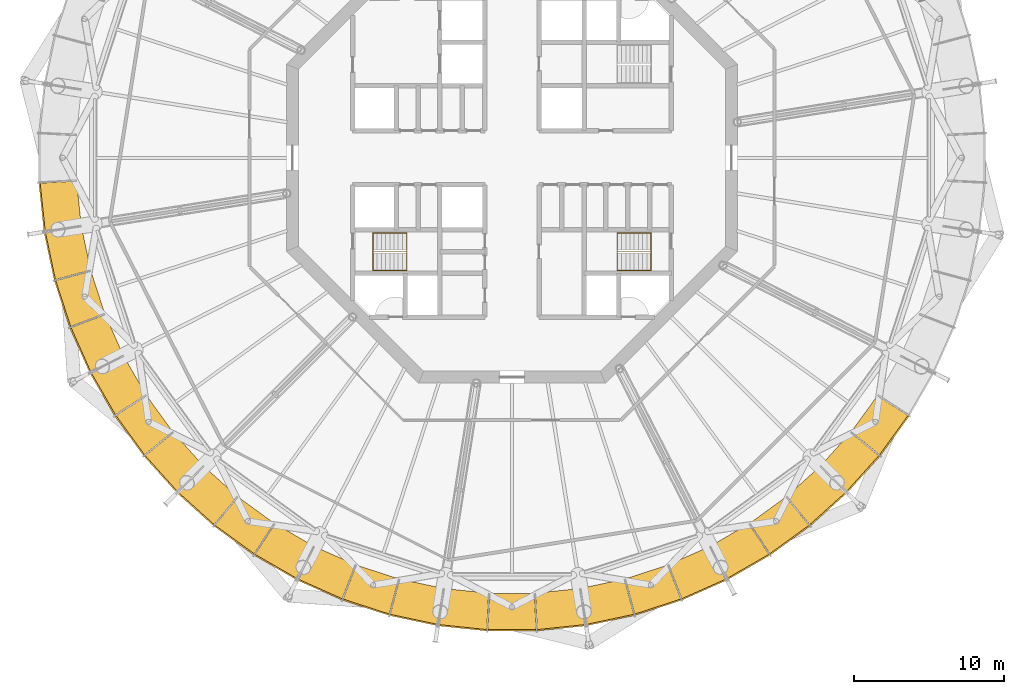
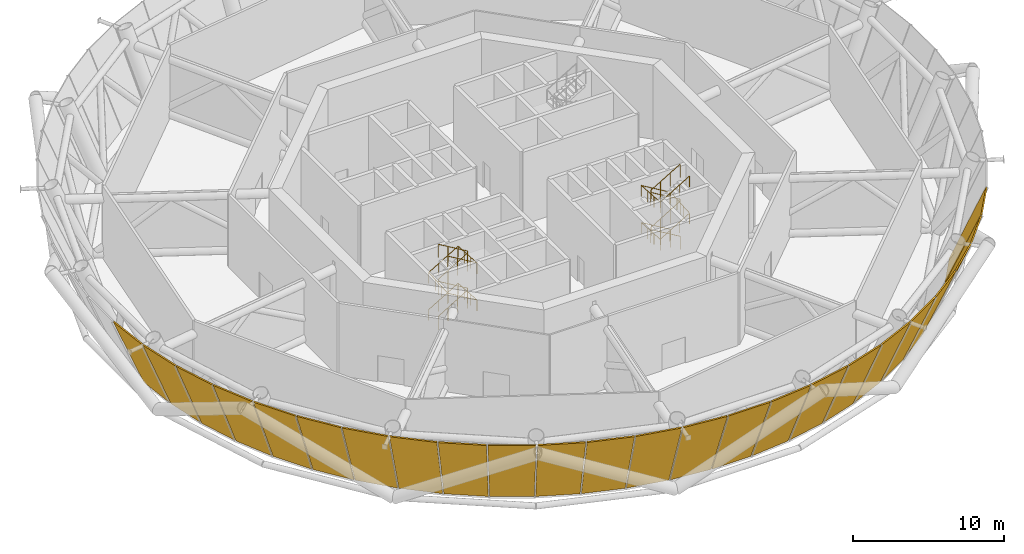
# One storey, part 19 of 20: 24 shading devices, 4 railings.
"""IFC4 building model written with IfcOpenShell, lengths in metres."""

from ifc_helpers import new_model, si_unit, direction, frame, origin, origin_2d, place, context, subcontext, project, spatial, polyline, circle, outline, extrude, material, layer, layer_set, type_object, element, save


model = new_model("IFC4")

# Units and contexts
model_context = context("Model", 3, precision=1e-05, world=origin(), true_north=direction((0.0, 1.0)))
body_context = subcontext(model_context, "Body", "Model", "MODEL_VIEW")
ifc_project = project(units=[si_unit("LENGTHUNIT", "METRE"), si_unit("AREAUNIT", "SQUARE_METRE"), si_unit("VOLUMEUNIT", "CUBIC_METRE"), si_unit("PLANEANGLEUNIT", "RADIAN"), si_unit("MASSUNIT", "GRAM", prefix="KILO")], contexts=[model_context])

# Site, building, storey
site_placement = place(None, origin())
site = spatial("IfcSite", under=ifc_project, at=site_placement, CompositionType="ELEMENT")
building_placement = place(site_placement, origin())
building = spatial("IfcBuilding", under=site, at=building_placement, Name="Entoto Ring Tower", CompositionType="ELEMENT")
storey_placement = place(building_placement, frame((0.0, 0.0, 330.0)))
storey = spatial("IfcBuildingStorey", under=building, at=storey_placement, Name="L76", CompositionType="ELEMENT", Elevation=330.0)

# Shading devices
ifc_material_1 = material(Name="Anodised aluminium", Category="aluminium")
ifc_layer = layer(ifc_material_1, 0.10009765625)
ifc_layer_set = layer_set([ifc_layer], Name="Anodised aluminium")
shading_device_type = type_object("IfcShadingDeviceType", Name="Louvre bank 100 mm anodised aluminium", PredefinedType="JALOUSIE", material=ifc_layer_set)
shading_device_1_placement = place(storey_placement, frame((61.02783203125, 78.441650390625, 0.03857421875), z_axis=(0.918026080993, 0.09649394571, 0.384599834968), x_axis=(0.104532465678, -0.994521474679, 4.605779e-06)))
element("IfcShadingDevice", 1, at=shading_device_1_placement, inside=storey, type_object=shading_device_type, Name="LOUVRE L76-29", PredefinedType="JALOUSIE", context=body_context, shape_type="SweptSolid", body=[
    extrude(outline(polyline([(0.0, 0.0), (2.957115182015096, 0.0), (3.0841261809829685, -6.295757480350118), (-0.126829148389838, -6.2957882562998115), (0.0, 0.0)])), origin(), (0.0, 0.0, -1.0), 0.10009765625),
])
shading_device_2_placement = place(storey_placement, frame((61.349609375, 75.421630859375, 0.03857421875), z_axis=(0.902905698117, 0.191893036845, 0.384627563649), x_axis=(0.2078873337, -0.978152777669, -5.072853e-06)))
element("IfcShadingDevice", 2, at=shading_device_2_placement, inside=storey, type_object=shading_device_type, Name="LOUVRE L76-30", PredefinedType="JALOUSIE", context=body_context, shape_type="SweptSolid", body=[
    extrude(outline(polyline([(0.0, 0.0), (2.9569424470947205, 5.551115123125783e-17), (3.08395391137405, -6.295868617591806), (-0.12705669776806625, -6.29583472086293), (0.0, 0.0)])), origin(), (0.0, 0.0, -1.0), 0.10009765625),
])
shading_device_3_placement = place(storey_placement, frame((61.985107421875, 72.451904296875, 0.03857421875), z_axis=(0.87789089123, 0.285249685264, 0.384629952231), x_axis=(0.309024468549, -0.951054087744, -4.905778e-06)))
element("IfcShadingDevice", 3, at=shading_device_3_placement, inside=storey, type_object=shading_device_type, Name="LOUVRE L76-31", PredefinedType="JALOUSIE", context=body_context, shape_type="SweptSolid", body=[
    extrude(outline(polyline([(0.0, 0.0), (2.9569996636958553, -1.1102230246251565e-16), (3.0837332633766725, -6.295874846616945), (-0.12712122140871357, -6.295842066770974), (0.0, 0.0)])), origin(), (0.0, 0.0, -1.0), 0.10009765625),
])
shading_device_4_placement = place(storey_placement, frame((62.927490234375, 69.56494140625, 0.03857421875), z_axis=(0.843289418518, 0.375424556988, 0.384602858317), x_axis=(0.406707286074, -0.913558527656, 9.22371e-07)))
element("IfcShadingDevice", 4, at=shading_device_4_placement, inside=storey, type_object=shading_device_type, Name="LOUVRE L76-32", PredefinedType="JALOUSIE", context=body_context, shape_type="SweptSolid", body=[
    extrude(outline(polyline([(0.0, 0.0), (2.9570227538371645, 5.551115123125783e-17), (3.084050239886771, -6.295778378490367), (-0.1268586915096583, -6.295784541673519), (0.0, 0.0)])), origin(), (0.0, 0.0, -1.0), 0.10009765625),
])
shading_device_5_placement = place(storey_placement, frame((64.16650390625, 66.792236328125, 0.03857421875), z_axis=(0.799402953847, 0.461562213776, 0.384597504146), x_axis=(0.500020071649, -0.866013815091, 4.501837e-06)))
element("IfcShadingDevice", 5, at=shading_device_5_placement, inside=storey, type_object=shading_device_type, Name="LOUVRE L76-33", PredefinedType="JALOUSIE", context=body_context, shape_type="SweptSolid", body=[
    extrude(outline(polyline([(0.0, 0.0), (2.9569678858379325, -5.551115123125783e-17), (3.0838498953082634, -6.295751205556264), (-0.12688333985561287, -6.295781285130404), (0.0, 0.0)])), origin(), (0.0, 0.0, -1.0), 0.10009765625),
])
shading_device_6_placement = place(storey_placement, frame((65.688720703125, 64.164306640625, 0.03857421875), z_axis=(0.74679755421, 0.542550852902, 0.384619272843), x_axis=(0.587764412546, -0.809032134927, 1.2763e-07)))
element("IfcShadingDevice", 6, at=shading_device_6_placement, inside=storey, type_object=shading_device_type, Name="LOUVRE L76-34", PredefinedType="JALOUSIE", context=body_context, shape_type="SweptSolid", body=[
    extrude(outline(polyline([(0.0, 0.0), (2.957031431412119, 0.0), (3.0838625791035326, -6.295827680789539), (-0.12695793471560787, -6.295828533590912), (0.0, 0.0)])), origin(), (0.0, 0.0, -1.0), 0.10009765625),
])
shading_device_7_placement = place(storey_placement, frame((67.47705078125, 61.7099609375, 0.03857421875), z_axis=(0.685984460559, 0.617660042916, 0.384605500814), x_axis=(0.669126057194, -0.743148921489, 8.62533e-06)))
element("IfcShadingDevice", 7, at=shading_device_7_placement, inside=storey, type_object=shading_device_type, Name="LOUVRE L76-35", PredefinedType="JALOUSIE", context=body_context, shape_type="SweptSolid", body=[
    extrude(outline(polyline([(0.0, 0.0), (2.9572981652337456, 0.0), (3.084086432904989, -6.295760151808209), (-0.1266322470302978, -6.295817786165504), (0.0, 0.0)])), origin(), (0.0, 0.0, -1.0), 0.10009765625),
])
shading_device_8_placement = place(storey_placement, frame((69.51220703125, 59.455810546875, 0.03857421875), z_axis=(0.617660042916, 0.685984460559, 0.384605500814), x_axis=(0.743148921489, -0.669126057194, -8.62533e-06)))
element("IfcShadingDevice", 8, at=shading_device_8_placement, inside=storey, type_object=shading_device_type, Name="LOUVRE L76-36", PredefinedType="JALOUSIE", context=body_context, shape_type="SweptSolid", body=[
    extrude(outline(polyline([(0.0, 0.0), (2.9572981652337456, 0.0), (3.0839304122640434, -6.295817786165504), (-0.12678826767124335, -6.295760151808209), (0.0, 0.0)])), origin(), (0.0, 0.0, -1.0), 0.10009765625),
])
shading_device_9_placement = place(storey_placement, frame((71.77197265625, 57.4267578125, 0.03857421875), z_axis=(0.542550852902, 0.74679755421, 0.384619272843), x_axis=(0.809032134927, -0.587764412546, -1.2763e-07)))
element("IfcShadingDevice", 9, at=shading_device_9_placement, inside=storey, type_object=shading_device_type, Name="LOUVRE L76-37", PredefinedType="JALOUSIE", context=body_context, shape_type="SweptSolid", body=[
    extrude(outline(polyline([(0.0, 0.0), (2.957031431412119, 0.0), (3.0839893661277267, -6.295828533590912), (-0.12683114769141382, -6.295827680789539), (0.0, 0.0)])), origin(), (0.0, 0.0, -1.0), 0.10009765625),
])
shading_device_10_placement = place(storey_placement, frame((74.2314453125, 55.64501953125, 0.03857421875), z_axis=(0.461562213776, 0.799402953847, 0.384597504146), x_axis=(0.866013815091, -0.500020071649, -4.501837e-06)))
element("IfcShadingDevice", 10, at=shading_device_10_placement, inside=storey, type_object=shading_device_type, Name="LOUVRE L76-38", PredefinedType="JALOUSIE", context=body_context, shape_type="SweptSolid", body=[
    extrude(outline(polyline([(0.0, 0.0), (2.9569678858379325, 5.551115123125783e-17), (3.0838512256935458, -6.295781285130404), (-0.12688200947033065, -6.295751205556264), (0.0, 0.0)])), origin(), (0.0, 0.0, -1.0), 0.10009765625),
])
shading_device_11_placement = place(storey_placement, frame((76.863525390625, 54.130126953125, 0.03857421875), z_axis=(0.375424556988, 0.843289418518, 0.384602858317), x_axis=(0.913558527656, -0.406707286074, -9.22371e-07)))
element("IfcShadingDevice", 11, at=shading_device_11_placement, inside=storey, type_object=shading_device_type, Name="LOUVRE L76-39", PredefinedType="JALOUSIE", context=body_context, shape_type="SweptSolid", body=[
    extrude(outline(polyline([(0.0, 0.0), (2.9570227538371645, -5.551115123125783e-17), (3.083881445346823, -6.295784541673519), (-0.12702748604960626, -6.295778378490367), (0.0, 0.0)])), origin(), (0.0, 0.0, -1.0), 0.10009765625),
])
shading_device_12_placement = place(storey_placement, frame((79.6396484375, 52.89892578125, 0.03857421875), z_axis=(0.285249685264, 0.87789089123, 0.384629952231), x_axis=(0.951054087744, -0.309024468549, 4.905778e-06)))
element("IfcShadingDevice", 12, at=shading_device_12_placement, inside=storey, type_object=shading_device_type, Name="LOUVRE L76-40", PredefinedType="JALOUSIE", context=body_context, shape_type="SweptSolid", body=[
    extrude(outline(polyline([(0.0, 0.0), (2.9569996636958553, 1.1102230246251565e-16), (3.084120885104569, -6.295842066770974), (-0.12673359968081704, -6.295874846616945), (0.0, 0.0)])), origin(), (0.0, 0.0, -1.0), 0.10009765625),
])
shading_device_13_placement = place(storey_placement, frame((82.529296875, 51.96435546875, 0.03857421875), z_axis=(0.191893036845, 0.902905698117, 0.384627563649), x_axis=(0.978152777669, -0.2078873337, 5.072853e-06)))
element("IfcShadingDevice", 13, at=shading_device_13_placement, inside=storey, type_object=shading_device_type, Name="LOUVRE L76-41", PredefinedType="JALOUSIE", context=body_context, shape_type="SweptSolid", body=[
    extrude(outline(polyline([(0.0, 0.0), (2.9569424470947205, -5.551115123125783e-17), (3.083999144862787, -6.295834720862931), (-0.1270114642793295, -6.295868617591806), (0.0, 0.0)])), origin(), (0.0, 0.0, -1.0), 0.10009765625),
])
shading_device_14_placement = place(storey_placement, frame((85.500732421875, 51.3369140625, 0.03857421875), z_axis=(0.09649394571, 0.918026080993, 0.384599834968), x_axis=(0.994521474679, -0.104532465678, -4.605779e-06)))
element("IfcShadingDevice", 14, at=shading_device_14_placement, inside=storey, type_object=shading_device_type, Name="LOUVRE L76-42", PredefinedType="JALOUSIE", context=body_context, shape_type="SweptSolid", body=[
    extrude(outline(polyline([(0.0, 0.0), (2.957115182015096, 0.0), (3.083944330404934, -6.2957882562998115), (-0.12701099896787232, -6.295757480350118), (0.0, 0.0)])), origin(), (0.0, 0.0, -1.0), 0.10009765625),
])
shading_device_15_placement = place(storey_placement, frame((88.521484375, 51.023681640625, 0.03857421875), z_axis=(0.0, 0.923081512173, 0.384604370599), x_axis=(1.0, 0.0, 0.0)))
element("IfcShadingDevice", 15, at=shading_device_15_placement, inside=storey, type_object=shading_device_type, Name="LOUVRE L76-43", PredefinedType="JALOUSIE", context=body_context, shape_type="SweptSolid", body=[
    extrude(outline(polyline([(0.0, 0.0), (2.95703125, 0.0), (3.083984375, -6.295785757659699), (-0.126953125, -6.295785757659699), (0.0, 0.0)])), origin(), (0.0, 0.0, -1.0), 0.10009765625),
])
shading_device_16_placement = place(storey_placement, frame((91.558349609375, 51.02783203125, 0.03857421875), z_axis=(-0.09649394571, 0.918026080993, 0.384599834968), x_axis=(0.994521474679, 0.104532465678, 4.605779e-06)))
element("IfcShadingDevice", 16, at=shading_device_16_placement, inside=storey, type_object=shading_device_type, Name="LOUVRE L76-44", PredefinedType="JALOUSIE", context=body_context, shape_type="SweptSolid", body=[
    extrude(outline(polyline([(0.0, 0.0), (2.957115182015096, 0.0), (3.0841261809829685, -6.295757480350118), (-0.126829148389838, -6.2957882562998115), (0.0, 0.0)])), origin(), (0.0, 0.0, -1.0), 0.10009765625),
])
shading_device_17_placement = place(storey_placement, frame((94.578369140625, 51.349609375, 0.03857421875), z_axis=(-0.191893036845, 0.902905698117, 0.384627563649), x_axis=(0.978152777669, 0.2078873337, -5.072853e-06)))
element("IfcShadingDevice", 17, at=shading_device_17_placement, inside=storey, type_object=shading_device_type, Name="LOUVRE L76-45", PredefinedType="JALOUSIE", context=body_context, shape_type="SweptSolid", body=[
    extrude(outline(polyline([(0.0, 0.0), (2.9569424470947205, 5.551115123125783e-17), (3.08395391137405, -6.295868617591806), (-0.12705669776806625, -6.29583472086293), (0.0, 0.0)])), origin(), (0.0, 0.0, -1.0), 0.10009765625),
])
shading_device_18_placement = place(storey_placement, frame((97.548095703125, 51.985107421875, 0.03857421875), z_axis=(-0.285249685264, 0.87789089123, 0.384629952231), x_axis=(0.951054087744, 0.309024468549, -4.905778e-06)))
element("IfcShadingDevice", 18, at=shading_device_18_placement, inside=storey, type_object=shading_device_type, Name="LOUVRE L76-46", PredefinedType="JALOUSIE", context=body_context, shape_type="SweptSolid", body=[
    extrude(outline(polyline([(0.0, 0.0), (2.9569996636958553, -1.1102230246251565e-16), (3.0837332633766725, -6.295874846616945), (-0.12712122140871357, -6.295842066770974), (0.0, 0.0)])), origin(), (0.0, 0.0, -1.0), 0.10009765625),
])
shading_device_19_placement = place(storey_placement, frame((100.43505859375, 52.927490234375, 0.03857421875), z_axis=(-0.375424556988, 0.843289418518, 0.384602858317), x_axis=(0.913558527656, 0.406707286074, 9.22371e-07)))
element("IfcShadingDevice", 19, at=shading_device_19_placement, inside=storey, type_object=shading_device_type, Name="LOUVRE L76-47", PredefinedType="JALOUSIE", context=body_context, shape_type="SweptSolid", body=[
    extrude(outline(polyline([(0.0, 0.0), (2.9570227538371645, 5.551115123125783e-17), (3.084050239886771, -6.295778378490367), (-0.1268586915096583, -6.295784541673519), (0.0, 0.0)])), origin(), (0.0, 0.0, -1.0), 0.10009765625),
])
shading_device_20_placement = place(storey_placement, frame((103.207763671875, 54.16650390625, 0.03857421875), z_axis=(-0.461562213776, 0.799402953847, 0.384597504146), x_axis=(0.866013815091, 0.500020071649, 4.501837e-06)))
element("IfcShadingDevice", 20, at=shading_device_20_placement, inside=storey, type_object=shading_device_type, Name="LOUVRE L76-48", PredefinedType="JALOUSIE", context=body_context, shape_type="SweptSolid", body=[
    extrude(outline(polyline([(0.0, 0.0), (2.9569678858379325, -5.551115123125783e-17), (3.0838498953082634, -6.295751205556264), (-0.12688333985561287, -6.295781285130404), (0.0, 0.0)])), origin(), (0.0, 0.0, -1.0), 0.10009765625),
])
shading_device_21_placement = place(storey_placement, frame((105.835693359375, 55.688720703125, 0.03857421875), z_axis=(-0.542550852902, 0.74679755421, 0.384619272843), x_axis=(0.809032134927, 0.587764412546, 1.2763e-07)))
element("IfcShadingDevice", 21, at=shading_device_21_placement, inside=storey, type_object=shading_device_type, Name="LOUVRE L76-49", PredefinedType="JALOUSIE", context=body_context, shape_type="SweptSolid", body=[
    extrude(outline(polyline([(0.0, 0.0), (2.957031431412119, 0.0), (3.0838625791035326, -6.295827680789539), (-0.12695793471560787, -6.295828533590912), (0.0, 0.0)])), origin(), (0.0, 0.0, -1.0), 0.10009765625),
])
shading_device_22_placement = place(storey_placement, frame((108.2900390625, 57.47705078125, 0.03857421875), z_axis=(-0.617660042916, 0.685984460559, 0.384605500814), x_axis=(0.743148921489, 0.669126057194, 8.62533e-06)))
element("IfcShadingDevice", 22, at=shading_device_22_placement, inside=storey, type_object=shading_device_type, Name="LOUVRE L76-50", PredefinedType="JALOUSIE", context=body_context, shape_type="SweptSolid", body=[
    extrude(outline(polyline([(0.0, 0.0), (2.9572981652337456, 0.0), (3.084086432904989, -6.295760151808209), (-0.1266322470302978, -6.295817786165504), (0.0, 0.0)])), origin(), (0.0, 0.0, -1.0), 0.10009765625),
])
shading_device_23_placement = place(storey_placement, frame((110.544189453125, 59.51220703125, 0.03857421875), z_axis=(-0.685984460559, 0.617660042916, 0.384605500814), x_axis=(0.669126057194, 0.743148921489, -8.62533e-06)))
element("IfcShadingDevice", 23, at=shading_device_23_placement, inside=storey, type_object=shading_device_type, Name="LOUVRE L76-51", PredefinedType="JALOUSIE", context=body_context, shape_type="SweptSolid", body=[
    extrude(outline(polyline([(0.0, 0.0), (2.9572981652337456, 0.0), (3.0839304122640434, -6.295817786165504), (-0.12678826767124335, -6.295760151808209), (0.0, 0.0)])), origin(), (0.0, 0.0, -1.0), 0.10009765625),
])
shading_device_24_placement = place(storey_placement, frame((112.5732421875, 61.77197265625, 0.03857421875), z_axis=(-0.74679755421, 0.542550852902, 0.384619272843), x_axis=(0.587764412546, 0.809032134927, -1.2763e-07)))
element("IfcShadingDevice", 24, at=shading_device_24_placement, inside=storey, type_object=shading_device_type, Name="LOUVRE L76-52", PredefinedType="JALOUSIE", context=body_context, shape_type="SweptSolid", body=[
    extrude(outline(polyline([(0.0, 0.0), (2.957031431412119, 0.0), (3.0839893661277267, -6.295828533590912), (-0.12683114769141382, -6.295827680789539), (0.0, 0.0)])), origin(), (0.0, 0.0, -1.0), 0.10009765625),
])

# Railings
ifc_material_2 = material(Name="Steel S275", Category="steel")
railing_type_1 = type_object("IfcRailingType", Name="Stair guard 1100 mm steel", PredefinedType="GUARDRAIL", material=ifc_material_2)
railing_1_placement = place(storey_placement, frame((80.75, 73.75, 0.166748046875)))
element("IfcRailing", 25, at=railing_1_placement, inside=storey, type_object=railing_type_1, Name="Guard ST2", PredefinedType="GUARDRAIL", context=body_context, shape_type="SweptSolid", body=[
    extrude(circle(Radius=0.02392578125, at=origin_2d()), frame((0.0, 0.0, 1.076171875), z_axis=(0.859305625298, 0.0, 0.511462454469), x_axis=(0.0, 1.0, 0.0)), (0.0, 0.0, 1.0), 2.606689453125),
    extrude(circle(Radius=0.02392578125, at=origin_2d()), frame((2.239990234375, 0.0, 2.4091796875), z_axis=(0.0, 0.0, 1.0), x_axis=(1.0, 0.0, 0.0)), (0.0, 0.0, 1.0), 0.166748046875),
    extrude(circle(Radius=0.02392578125, at=origin_2d()), frame((2.239990234375, 0.0, 2.576171875), z_axis=(-0.859305625298, 0.0, 0.511462454469), x_axis=(0.0, -1.0, 0.0)), (0.0, 0.0, 1.0), 2.606689453125),
    extrude(circle(Radius=0.02392578125, at=origin_2d()), frame((0.0, 0.0, 3.9091796875), z_axis=(0.0, 0.0, 1.0), x_axis=(1.0, 0.0, 0.0)), (0.0, 0.0, 1.0), 0.166748046875),
    extrude(circle(Radius=0.02392578125, at=origin_2d()), frame((0.0, 0.0, 4.076171875), z_axis=(0.859305625298, 0.0, 0.511462454469), x_axis=(0.0, 1.0, 0.0)), (0.0, 0.0, 1.0), 2.606689453125),
    extrude(circle(Radius=0.02392578125, at=origin_2d()), frame((2.239990234375, 0.0, 5.4091796875), z_axis=(0.0, 0.0, 1.0), x_axis=(1.0, 0.0, 0.0)), (0.0, 0.0, 1.0), 0.166748046875),
    extrude(circle(Radius=0.02392578125, at=origin_2d()), frame((2.239990234375, 0.0, 5.576171875), z_axis=(-0.859305625298, 0.0, 0.511462454469), x_axis=(0.0, -1.0, 0.0)), (0.0, 0.0, 1.0), 2.606689453125),
    extrude(circle(Radius=0.02099609375, at=origin_2d()), origin(), (0.0, 0.0, 1.0), 1.052001953125),
    extrude(circle(Radius=0.02099609375, at=origin_2d()), frame((0.74658203125, 0.0, 0.4443359375)), (0.0, 0.0, 1.0), 1.052001953125),
    extrude(circle(Radius=0.02099609375, at=origin_2d()), frame((1.493408203125, 0.0, 0.888916015625)), (0.0, 0.0, 1.0), 1.052001953125),
    extrude(circle(Radius=0.02099609375, at=origin_2d()), frame((2.239990234375, 0.0, 1.333251953125)), (0.0, 0.0, 1.0), 1.052001953125),
    extrude(circle(Radius=0.02099609375, at=origin_2d()), frame((2.239990234375, 0.0, 1.5)), (0.0, 0.0, 1.0), 1.052001953125),
    extrude(circle(Radius=0.02099609375, at=origin_2d()), frame((1.493408203125, 0.0, 1.9443359375)), (0.0, 0.0, 1.0), 1.052001953125),
    extrude(circle(Radius=0.02099609375, at=origin_2d()), frame((0.74658203125, 0.0, 2.388916015625)), (0.0, 0.0, 1.0), 1.052001953125),
    extrude(circle(Radius=0.02099609375, at=origin_2d()), frame((0.0, 0.0, 2.833251953125)), (0.0, 0.0, 1.0), 1.052001953125),
    extrude(circle(Radius=0.02099609375, at=origin_2d()), frame((0.0, 0.0, 3.0)), (0.0, 0.0, 1.0), 1.052001953125),
    extrude(circle(Radius=0.02099609375, at=origin_2d()), frame((0.74658203125, 0.0, 3.4443359375)), (0.0, 0.0, 1.0), 1.052001953125),
    extrude(circle(Radius=0.02099609375, at=origin_2d()), frame((1.493408203125, 0.0, 3.888916015625)), (0.0, 0.0, 1.0), 1.052001953125),
    extrude(circle(Radius=0.02099609375, at=origin_2d()), frame((2.239990234375, 0.0, 4.333251953125)), (0.0, 0.0, 1.0), 1.052001953125),
    extrude(circle(Radius=0.02099609375, at=origin_2d()), frame((2.239990234375, 0.0, 4.5)), (0.0, 0.0, 1.0), 1.052001953125),
    extrude(circle(Radius=0.02099609375, at=origin_2d()), frame((1.493408203125, 0.0, 4.9443359375)), (0.0, 0.0, 1.0), 1.052001953125),
    extrude(circle(Radius=0.02099609375, at=origin_2d()), frame((0.74658203125, 0.0, 5.388916015625)), (0.0, 0.0, 1.0), 1.052001953125),
    extrude(circle(Radius=0.02099609375, at=origin_2d()), frame((0.0, 0.0, 5.833251953125)), (0.0, 0.0, 1.0), 1.052001953125),
])
railing_2_placement = place(storey_placement, frame((99.25, 73.75, 0.166748046875)))
element("IfcRailing", 26, at=railing_2_placement, inside=storey, type_object=railing_type_1, Name="Guard ST3", PredefinedType="GUARDRAIL", context=body_context, shape_type="SweptSolid", body=[
    extrude(circle(Radius=0.02392578125, at=origin_2d()), frame((0.0, 0.0, 1.076171875), z_axis=(-0.859305625298, 0.0, 0.511462454469), x_axis=(0.0, -1.0, 0.0)), (0.0, 0.0, 1.0), 2.606689453125),
    extrude(circle(Radius=0.02392578125, at=origin_2d()), frame((-2.239990234375, 0.0, 2.4091796875), z_axis=(0.0, 0.0, 1.0), x_axis=(1.0, 0.0, 0.0)), (0.0, 0.0, 1.0), 0.166748046875),
    extrude(circle(Radius=0.02392578125, at=origin_2d()), frame((-2.239990234375, 0.0, 2.576171875), z_axis=(0.859305625298, 0.0, 0.511462454469), x_axis=(0.0, 1.0, 0.0)), (0.0, 0.0, 1.0), 2.606689453125),
    extrude(circle(Radius=0.02392578125, at=origin_2d()), frame((0.0, 0.0, 3.9091796875), z_axis=(0.0, 0.0, 1.0), x_axis=(1.0, 0.0, 0.0)), (0.0, 0.0, 1.0), 0.166748046875),
    extrude(circle(Radius=0.02392578125, at=origin_2d()), frame((0.0, 0.0, 4.076171875), z_axis=(-0.859305625298, 0.0, 0.511462454469), x_axis=(0.0, -1.0, 0.0)), (0.0, 0.0, 1.0), 2.606689453125),
    extrude(circle(Radius=0.02392578125, at=origin_2d()), frame((-2.239990234375, 0.0, 5.4091796875), z_axis=(0.0, 0.0, 1.0), x_axis=(1.0, 0.0, 0.0)), (0.0, 0.0, 1.0), 0.166748046875),
    extrude(circle(Radius=0.02392578125, at=origin_2d()), frame((-2.239990234375, 0.0, 5.576171875), z_axis=(0.859305625298, 0.0, 0.511462454469), x_axis=(0.0, 1.0, 0.0)), (0.0, 0.0, 1.0), 2.606689453125),
    extrude(circle(Radius=0.02099609375, at=origin_2d()), origin(), (0.0, 0.0, 1.0), 1.052001953125),
    extrude(circle(Radius=0.02099609375, at=origin_2d()), frame((-0.74658203125, 0.0, 0.4443359375)), (0.0, 0.0, 1.0), 1.052001953125),
    extrude(circle(Radius=0.02099609375, at=origin_2d()), frame((-1.493408203125, 0.0, 0.888916015625)), (0.0, 0.0, 1.0), 1.052001953125),
    extrude(circle(Radius=0.02099609375, at=origin_2d()), frame((-2.239990234375, 0.0, 1.333251953125)), (0.0, 0.0, 1.0), 1.052001953125),
    extrude(circle(Radius=0.02099609375, at=origin_2d()), frame((-2.239990234375, 0.0, 1.5)), (0.0, 0.0, 1.0), 1.052001953125),
    extrude(circle(Radius=0.02099609375, at=origin_2d()), frame((-1.493408203125, 0.0, 1.9443359375)), (0.0, 0.0, 1.0), 1.052001953125),
    extrude(circle(Radius=0.02099609375, at=origin_2d()), frame((-0.74658203125, 0.0, 2.388916015625)), (0.0, 0.0, 1.0), 1.052001953125),
    extrude(circle(Radius=0.02099609375, at=origin_2d()), frame((0.0, 0.0, 2.833251953125)), (0.0, 0.0, 1.0), 1.052001953125),
    extrude(circle(Radius=0.02099609375, at=origin_2d()), frame((0.0, 0.0, 3.0)), (0.0, 0.0, 1.0), 1.052001953125),
    extrude(circle(Radius=0.02099609375, at=origin_2d()), frame((-0.74658203125, 0.0, 3.4443359375)), (0.0, 0.0, 1.0), 1.052001953125),
    extrude(circle(Radius=0.02099609375, at=origin_2d()), frame((-1.493408203125, 0.0, 3.888916015625)), (0.0, 0.0, 1.0), 1.052001953125),
    extrude(circle(Radius=0.02099609375, at=origin_2d()), frame((-2.239990234375, 0.0, 4.333251953125)), (0.0, 0.0, 1.0), 1.052001953125),
    extrude(circle(Radius=0.02099609375, at=origin_2d()), frame((-2.239990234375, 0.0, 4.5)), (0.0, 0.0, 1.0), 1.052001953125),
    extrude(circle(Radius=0.02099609375, at=origin_2d()), frame((-1.493408203125, 0.0, 4.9443359375)), (0.0, 0.0, 1.0), 1.052001953125),
    extrude(circle(Radius=0.02099609375, at=origin_2d()), frame((-0.74658203125, 0.0, 5.388916015625)), (0.0, 0.0, 1.0), 1.052001953125),
    extrude(circle(Radius=0.02099609375, at=origin_2d()), frame((0.0, 0.0, 5.833251953125)), (0.0, 0.0, 1.0), 1.052001953125),
])
ifc_material_3 = material(Name="Steel S275", Category="steel")
railing_type_2 = type_object("IfcRailingType", Name="Stair handrail 900 mm steel", PredefinedType="HANDRAIL", material=ifc_material_3)
railing_3_placement = place(storey_placement, frame((80.75, 75.0, 0.166748046875)))
element("IfcRailing", 27, at=railing_3_placement, inside=storey, type_object=railing_type_2, Name="Handrail ST2", PredefinedType="HANDRAIL", context=body_context, shape_type="SweptSolid", body=[
    extrude(circle(Radius=0.02392578125, at=origin_2d()), frame((0.0, 0.0, 0.8759765625), z_axis=(0.859305625298, 0.0, 0.511462454469), x_axis=(0.0, 1.0, 0.0)), (0.0, 0.0, 1.0), 2.606689453125),
    extrude(circle(Radius=0.02392578125, at=origin_2d()), frame((2.239990234375, 0.0, 2.208984375), z_axis=(0.0, -0.997783001586, 0.066551346688), x_axis=(1.0, 0.0, 0.0)), (0.0, 0.0, 1.0), 2.505615234375),
    extrude(circle(Radius=0.02392578125, at=origin_2d()), frame((2.239990234375, -2.5, 2.3759765625), z_axis=(-0.859305625298, 0.0, 0.511462454469), x_axis=(0.0, -1.0, 0.0)), (0.0, 0.0, 1.0), 2.606689453125),
    extrude(circle(Radius=0.02392578125, at=origin_2d()), frame((0.0, -2.5, 3.708984375), z_axis=(0.0, 0.997783001586, 0.066551346688), x_axis=(-1.0, 0.0, 0.0)), (0.0, 0.0, 1.0), 2.505615234375),
    extrude(circle(Radius=0.02392578125, at=origin_2d()), frame((0.0, 0.0, 3.8759765625), z_axis=(0.859305625298, 0.0, 0.511462454469), x_axis=(0.0, 1.0, 0.0)), (0.0, 0.0, 1.0), 2.606689453125),
    extrude(circle(Radius=0.02392578125, at=origin_2d()), frame((2.239990234375, 0.0, 5.208984375), z_axis=(0.0, -0.997783001586, 0.066551346688), x_axis=(1.0, 0.0, 0.0)), (0.0, 0.0, 1.0), 2.505615234375),
    extrude(circle(Radius=0.02392578125, at=origin_2d()), frame((2.239990234375, -2.5, 5.3759765625), z_axis=(-0.859305625298, 0.0, 0.511462454469), x_axis=(0.0, -1.0, 0.0)), (0.0, 0.0, 1.0), 2.606689453125),
    extrude(circle(Radius=0.02099609375, at=origin_2d()), origin(), (0.0, 0.0, 1.0), 0.851806640625),
    extrude(circle(Radius=0.02099609375, at=origin_2d()), frame((0.74658203125, 0.0, 0.4443359375)), (0.0, 0.0, 1.0), 0.851806640625),
    extrude(circle(Radius=0.02099609375, at=origin_2d()), frame((1.493408203125, 0.0, 0.888916015625)), (0.0, 0.0, 1.0), 0.851806640625),
    extrude(circle(Radius=0.02099609375, at=origin_2d()), frame((2.239990234375, 0.0, 1.333251953125)), (0.0, 0.0, 1.0), 0.851806640625),
    extrude(circle(Radius=0.02099609375, at=origin_2d()), frame((2.239990234375, -0.833251953125, 1.388916015625)), (0.0, 0.0, 1.0), 0.851806640625),
    extrude(circle(Radius=0.02099609375, at=origin_2d()), frame((2.239990234375, -1.666748046875, 1.4443359375)), (0.0, 0.0, 1.0), 0.851806640625),
    extrude(circle(Radius=0.02099609375, at=origin_2d()), frame((2.239990234375, -2.5, 1.5)), (0.0, 0.0, 1.0), 0.851806640625),
    extrude(circle(Radius=0.02099609375, at=origin_2d()), frame((1.493408203125, -2.5, 1.9443359375)), (0.0, 0.0, 1.0), 0.851806640625),
    extrude(circle(Radius=0.02099609375, at=origin_2d()), frame((0.74658203125, -2.5, 2.388916015625)), (0.0, 0.0, 1.0), 0.851806640625),
    extrude(circle(Radius=0.02099609375, at=origin_2d()), frame((0.0, -2.5, 2.833251953125)), (0.0, 0.0, 1.0), 0.851806640625),
    extrude(circle(Radius=0.02099609375, at=origin_2d()), frame((0.0, -1.666748046875, 2.888916015625)), (0.0, 0.0, 1.0), 0.851806640625),
    extrude(circle(Radius=0.02099609375, at=origin_2d()), frame((0.0, -0.833251953125, 2.9443359375)), (0.0, 0.0, 1.0), 0.851806640625),
    extrude(circle(Radius=0.02099609375, at=origin_2d()), frame((0.0, 0.0, 3.0)), (0.0, 0.0, 1.0), 0.851806640625),
    extrude(circle(Radius=0.02099609375, at=origin_2d()), frame((0.74658203125, 0.0, 3.4443359375)), (0.0, 0.0, 1.0), 0.851806640625),
    extrude(circle(Radius=0.02099609375, at=origin_2d()), frame((1.493408203125, 0.0, 3.888916015625)), (0.0, 0.0, 1.0), 0.851806640625),
    extrude(circle(Radius=0.02099609375, at=origin_2d()), frame((2.239990234375, 0.0, 4.333251953125)), (0.0, 0.0, 1.0), 0.851806640625),
    extrude(circle(Radius=0.02099609375, at=origin_2d()), frame((2.239990234375, -0.833251953125, 4.388916015625)), (0.0, 0.0, 1.0), 0.851806640625),
    extrude(circle(Radius=0.02099609375, at=origin_2d()), frame((2.239990234375, -1.666748046875, 4.4443359375)), (0.0, 0.0, 1.0), 0.851806640625),
    extrude(circle(Radius=0.02099609375, at=origin_2d()), frame((2.239990234375, -2.5, 4.5)), (0.0, 0.0, 1.0), 0.851806640625),
    extrude(circle(Radius=0.02099609375, at=origin_2d()), frame((1.493408203125, -2.5, 4.9443359375)), (0.0, 0.0, 1.0), 0.851806640625),
    extrude(circle(Radius=0.02099609375, at=origin_2d()), frame((0.74658203125, -2.5, 5.388916015625)), (0.0, 0.0, 1.0), 0.851806640625),
    extrude(circle(Radius=0.02099609375, at=origin_2d()), frame((0.0, -2.5, 5.833251953125)), (0.0, 0.0, 1.0), 0.851806640625),
])
railing_4_placement = place(storey_placement, frame((99.25, 75.0, 0.166748046875)))
element("IfcRailing", 28, at=railing_4_placement, inside=storey, type_object=railing_type_2, Name="Handrail ST3", PredefinedType="HANDRAIL", context=body_context, shape_type="SweptSolid", body=[
    extrude(circle(Radius=0.02392578125, at=origin_2d()), frame((0.0, 0.0, 0.8759765625), z_axis=(-0.859305625298, 0.0, 0.511462454469), x_axis=(0.0, -1.0, 0.0)), (0.0, 0.0, 1.0), 2.606689453125),
    extrude(circle(Radius=0.02392578125, at=origin_2d()), frame((-2.239990234375, 0.0, 2.208984375), z_axis=(0.0, -0.997783001586, 0.066551346688), x_axis=(1.0, 0.0, 0.0)), (0.0, 0.0, 1.0), 2.505615234375),
    extrude(circle(Radius=0.02392578125, at=origin_2d()), frame((-2.239990234375, -2.5, 2.3759765625), z_axis=(0.859305625298, 0.0, 0.511462454469), x_axis=(0.0, 1.0, 0.0)), (0.0, 0.0, 1.0), 2.606689453125),
    extrude(circle(Radius=0.02392578125, at=origin_2d()), frame((0.0, -2.5, 3.708984375), z_axis=(0.0, 0.997783001586, 0.066551346688), x_axis=(-1.0, 0.0, 0.0)), (0.0, 0.0, 1.0), 2.505615234375),
    extrude(circle(Radius=0.02392578125, at=origin_2d()), frame((0.0, 0.0, 3.8759765625), z_axis=(-0.859305625298, 0.0, 0.511462454469), x_axis=(0.0, -1.0, 0.0)), (0.0, 0.0, 1.0), 2.606689453125),
    extrude(circle(Radius=0.02392578125, at=origin_2d()), frame((-2.239990234375, 0.0, 5.208984375), z_axis=(0.0, -0.997783001586, 0.066551346688), x_axis=(1.0, 0.0, 0.0)), (0.0, 0.0, 1.0), 2.505615234375),
    extrude(circle(Radius=0.02392578125, at=origin_2d()), frame((-2.239990234375, -2.5, 5.3759765625), z_axis=(0.859305625298, 0.0, 0.511462454469), x_axis=(0.0, 1.0, 0.0)), (0.0, 0.0, 1.0), 2.606689453125),
    extrude(circle(Radius=0.02099609375, at=origin_2d()), origin(), (0.0, 0.0, 1.0), 0.851806640625),
    extrude(circle(Radius=0.02099609375, at=origin_2d()), frame((-0.74658203125, 0.0, 0.4443359375)), (0.0, 0.0, 1.0), 0.851806640625),
    extrude(circle(Radius=0.02099609375, at=origin_2d()), frame((-1.493408203125, 0.0, 0.888916015625)), (0.0, 0.0, 1.0), 0.851806640625),
    extrude(circle(Radius=0.02099609375, at=origin_2d()), frame((-2.239990234375, 0.0, 1.333251953125)), (0.0, 0.0, 1.0), 0.851806640625),
    extrude(circle(Radius=0.02099609375, at=origin_2d()), frame((-2.239990234375, -0.833251953125, 1.388916015625)), (0.0, 0.0, 1.0), 0.851806640625),
    extrude(circle(Radius=0.02099609375, at=origin_2d()), frame((-2.239990234375, -1.666748046875, 1.4443359375)), (0.0, 0.0, 1.0), 0.851806640625),
    extrude(circle(Radius=0.02099609375, at=origin_2d()), frame((-2.239990234375, -2.5, 1.5)), (0.0, 0.0, 1.0), 0.851806640625),
    extrude(circle(Radius=0.02099609375, at=origin_2d()), frame((-1.493408203125, -2.5, 1.9443359375)), (0.0, 0.0, 1.0), 0.851806640625),
    extrude(circle(Radius=0.02099609375, at=origin_2d()), frame((-0.74658203125, -2.5, 2.388916015625)), (0.0, 0.0, 1.0), 0.851806640625),
    extrude(circle(Radius=0.02099609375, at=origin_2d()), frame((0.0, -2.5, 2.833251953125)), (0.0, 0.0, 1.0), 0.851806640625),
    extrude(circle(Radius=0.02099609375, at=origin_2d()), frame((0.0, -1.666748046875, 2.888916015625)), (0.0, 0.0, 1.0), 0.851806640625),
    extrude(circle(Radius=0.02099609375, at=origin_2d()), frame((0.0, -0.833251953125, 2.9443359375)), (0.0, 0.0, 1.0), 0.851806640625),
    extrude(circle(Radius=0.02099609375, at=origin_2d()), frame((0.0, 0.0, 3.0)), (0.0, 0.0, 1.0), 0.851806640625),
    extrude(circle(Radius=0.02099609375, at=origin_2d()), frame((-0.74658203125, 0.0, 3.4443359375)), (0.0, 0.0, 1.0), 0.851806640625),
    extrude(circle(Radius=0.02099609375, at=origin_2d()), frame((-1.493408203125, 0.0, 3.888916015625)), (0.0, 0.0, 1.0), 0.851806640625),
    extrude(circle(Radius=0.02099609375, at=origin_2d()), frame((-2.239990234375, 0.0, 4.333251953125)), (0.0, 0.0, 1.0), 0.851806640625),
    extrude(circle(Radius=0.02099609375, at=origin_2d()), frame((-2.239990234375, -0.833251953125, 4.388916015625)), (0.0, 0.0, 1.0), 0.851806640625),
    extrude(circle(Radius=0.02099609375, at=origin_2d()), frame((-2.239990234375, -1.666748046875, 4.4443359375)), (0.0, 0.0, 1.0), 0.851806640625),
    extrude(circle(Radius=0.02099609375, at=origin_2d()), frame((-2.239990234375, -2.5, 4.5)), (0.0, 0.0, 1.0), 0.851806640625),
    extrude(circle(Radius=0.02099609375, at=origin_2d()), frame((-1.493408203125, -2.5, 4.9443359375)), (0.0, 0.0, 1.0), 0.851806640625),
    extrude(circle(Radius=0.02099609375, at=origin_2d()), frame((-0.74658203125, -2.5, 5.388916015625)), (0.0, 0.0, 1.0), 0.851806640625),
    extrude(circle(Radius=0.02099609375, at=origin_2d()), frame((0.0, -2.5, 5.833251953125)), (0.0, 0.0, 1.0), 0.851806640625),
])

save(model, "model.ifc")
